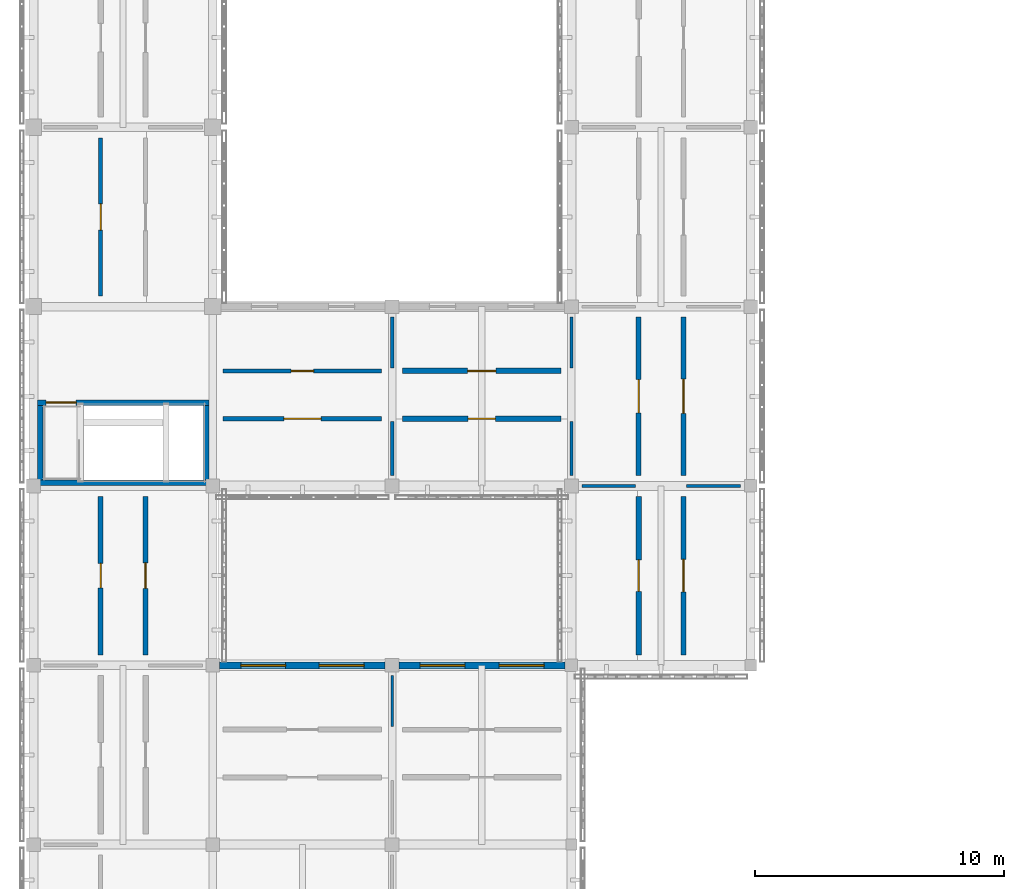
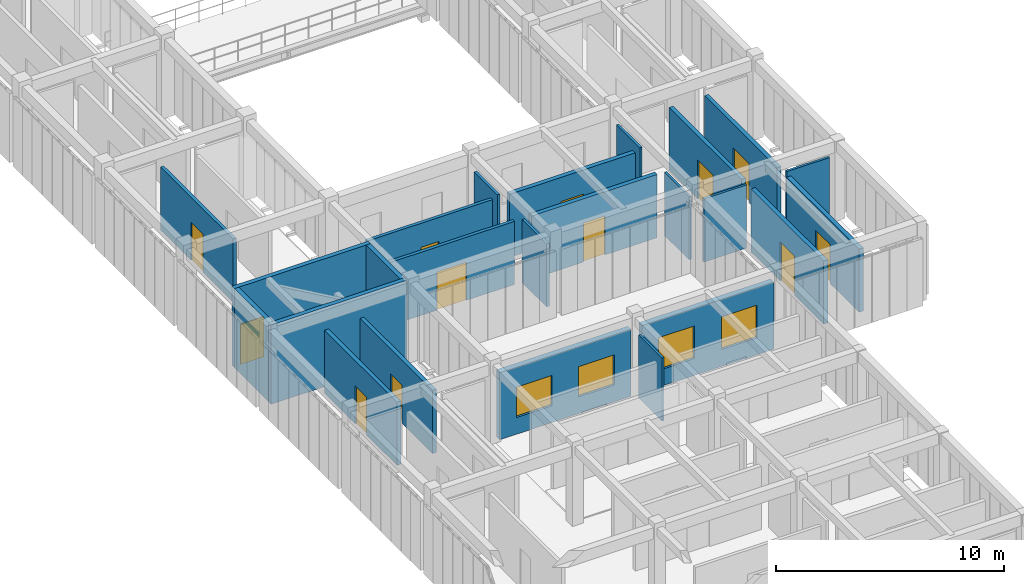
# One storey, part 70 of 91: 24 walls, 12 doors, 4 windows, 16 openings.
"""IFC4 building model written with IfcOpenShell, lengths in metres."""

import ifcopenshell
import ifcopenshell.guid

model = None  # the IFC model being written
_history = None  # IfcOwnerHistory: only IFC2X3 demands one
_inside = {}  # id of a spatial element -> (the spatial element, [elements in it])
_under = {}  # id of a project, library or spatial element -> (it, [spatial elements below it])
_declared = {}  # id of a project -> (the project, [libraries it declares])
_typed = {}  # id of a type object -> (the type object, [elements of that type])
_made_of = {}  # id of a material, layer set ... -> (it, [elements and type objects made of it])


def new_model(schema):
    """Start an empty IFC model of exactly this schema.

    Asked for "IFC4X3", IfcOpenShell would pick the latest addendum, in which some entities
    have other attributes; the version numbers below select the first issue.
    IFC2X3 requires an IfcOwnerHistory on every rooted entity: one is made here for all.
    """
    global model, _history
    if schema == "IFC4X3":
        model = ifcopenshell.file(schema_version=(4, 3, 0, 0))
    else:
        model = ifcopenshell.file(schema=schema)
    _inside.clear()
    _under.clear()
    _declared.clear()
    _typed.clear()
    _made_of.clear()
    _history = None
    if model.schema == "IFC2X3":
        org = make("IfcOrganization", Name="unknown")
        user = make(
            "IfcPersonAndOrganization",
            ThePerson=make("IfcPerson", FamilyName="unknown"),
            TheOrganization=org,
        )
        app = make(
            "IfcApplication",
            ApplicationDeveloper=org,
            Version="unknown",
            ApplicationFullName="unknown",
            ApplicationIdentifier="unknown",
        )
        _history = make(
            "IfcOwnerHistory",
            OwningUser=user,
            OwningApplication=app,
            ChangeAction="ADDED",
            CreationDate=0,
        )
    return model


def make(cls, **values):
    """One entity of the class cls with the attributes given. An attribute that is None is left unset."""
    return model.create_entity(
        cls, **{name: value for name, value in values.items() if value is not None}
    )


def rooted(cls, **values):
    """An entity with a GlobalId (a new one), such as an element, a storey or a relation."""
    return make(cls, GlobalId=ifcopenshell.guid.new(), OwnerHistory=_history, **values)


def si_unit(unit_type, name, prefix=None):
    """IfcSIUnit, for example si_unit("LENGTHUNIT", "METRE", prefix="MILLI")."""
    return make("IfcSIUnit", UnitType=unit_type, Prefix=prefix, Name=name)


def assignment(units):
    """IfcUnitAssignment: the units of a project."""
    return None if units is None else make("IfcUnitAssignment", Units=units)


def point(xyz):
    """IfcCartesianPoint."""
    return None if xyz is None else make("IfcCartesianPoint", Coordinates=xyz)


def direction(xyz):
    """IfcDirection."""
    return None if xyz is None else make("IfcDirection", DirectionRatios=xyz)


def frame(location, z_axis=None, x_axis=None):
    """IfcAxis2Placement3D, a coordinate frame: its origin and axes. An axis left out is left unset."""
    return make(
        "IfcAxis2Placement3D",
        Location=point(location),
        Axis=direction(z_axis),
        RefDirection=direction(x_axis),
    )


def frame_2d(location, x_axis=None):
    """IfcAxis2Placement2D, a coordinate frame in the plane: its origin and x axis."""
    return make(
        "IfcAxis2Placement2D", Location=point(location), RefDirection=direction(x_axis)
    )


def origin():
    """The frame at (0, 0, 0) with its axes left unset."""
    return frame((0.0, 0.0, 0.0))


def place(relative_to, where):
    """IfcLocalPlacement: puts the frame where relative to a parent placement (None: the world)."""
    return make(
        "IfcLocalPlacement", PlacementRelTo=relative_to, RelativePlacement=where
    )


def context(
    kind, dimensions, precision=None, world=None, true_north=None, identifier=None
):
    """IfcGeometricRepresentationContext, for example the 3D "Model" context."""
    return make(
        "IfcGeometricRepresentationContext",
        ContextIdentifier=identifier,
        ContextType=kind,
        CoordinateSpaceDimension=dimensions,
        Precision=precision,
        WorldCoordinateSystem=world,
        TrueNorth=true_north,
    )


def subcontext(parent, identifier, kind, view, scale=None):
    """IfcGeometricRepresentationSubContext, for example "Body" below "Model"."""
    return make(
        "IfcGeometricRepresentationSubContext",
        ContextIdentifier=identifier,
        ContextType=kind,
        ParentContext=parent,
        TargetScale=scale,
        TargetView=view,
    )


def project(units=None, contexts=None):
    """IfcProject with its units and contexts."""
    return rooted(
        "IfcProject",
        Name="project",
        RepresentationContexts=contexts,
        UnitsInContext=assignment(units),
    )


def spatial(cls, under=None, at=None, **own):
    """A site, building, storey or space (cls), placed at a placement, below another one or the project."""
    s = rooted(cls, ObjectPlacement=at, **own)
    if under is not None:
        _under.setdefault(under.id(), (under, []))[1].append(s)
    return s


def profile(cls, at=None, kind="AREA", **sizes):
    """A parametric profile (cls). Its sizes go by their IFC names, for example OverallWidth=200.0."""
    return make(cls, ProfileType=kind, Position=at, **sizes)


def rectangle(**sizes):
    """IfcRectangleProfileDef."""
    return profile("IfcRectangleProfileDef", **sizes)


def extrude(swept, where, along, depth):
    """IfcExtrudedAreaSolid: the profile swept, set in the frame where, extruded along a direction by depth."""
    return make(
        "IfcExtrudedAreaSolid",
        SweptArea=swept,
        Position=where,
        ExtrudedDirection=direction(along),
        Depth=depth,
    )


def shape(context_of_items, identifier, shape_type, items):
    """IfcShapeRepresentation: the items that make up one representation, for example the "Body"."""
    return make(
        "IfcShapeRepresentation",
        ContextOfItems=context_of_items,
        RepresentationIdentifier=identifier,
        RepresentationType=shape_type,
        Items=items,
    )


def material(Name=None, Category=None):
    """IfcMaterial."""
    return make("IfcMaterial", Name=Name, Category=Category)


def layer(
    of_material, thickness, ventilated=None, Name=None, Category=None, Priority=None
):
    """IfcMaterialLayer: one layer of a wall or slab, of a material (None: an air gap)."""
    return make(
        "IfcMaterialLayer",
        Material=of_material,
        LayerThickness=thickness,
        IsVentilated=ventilated,
        Name=Name,
        Category=Category,
        Priority=Priority,
    )


def layer_set(layers, Name=None):
    """IfcMaterialLayerSet."""
    return make("IfcMaterialLayerSet", MaterialLayers=layers, LayerSetName=Name)


def made_of(thing, what):
    """Note that an element or type object is made of a material, layer set ...; save() writes the relation."""
    if what is not None:
        _made_of.setdefault(what.id(), (what, []))[1].append(thing)
    return thing


def type_object(cls, material=None, **own):
    """A type object (cls), such as IfcWallType, which elements share."""
    return made_of(rooted(cls, **own), material)


def element(
    cls,
    number,
    at=None,
    inside=None,
    cuts=None,
    type_object=None,
    material=None,
    context=None,
    identifier="Body",
    shape_type=None,
    held_by="IfcProductDefinitionShape",
    body=None,
    shapes=None,
    **own,
):
    """One element of the class cls, such as IfcWall. Its Tag is "e" and its number.

    at: its placement. inside: the storey or other place that contains it. cuts: it is an
    opening in that element (IfcRelVoidsElement). A single representation is given by context,
    identifier, shape_type and body (its items); several are given by shapes. held_by: the class
    of the entity that holds the representations. save() writes the other relations.
    """
    e = rooted(cls, Tag="e%d" % number, ObjectPlacement=at, **own)
    if body is not None:
        shapes = [shape(context, identifier, shape_type, body)]
    if shapes is not None:
        e.Representation = make(held_by, Representations=shapes)
    if inside is not None:
        _inside.setdefault(inside.id(), (inside, []))[1].append(e)
    if cuts is not None:
        rooted(
            "IfcRelVoidsElement", RelatingBuildingElement=cuts, RelatedOpeningElement=e
        )
    if type_object is not None:
        _typed.setdefault(type_object.id(), (type_object, []))[1].append(e)
    return made_of(e, material)


def fill(opening, filler):
    """IfcRelFillsElement: the door or window that sits in an opening."""
    return rooted(
        "IfcRelFillsElement",
        RelatingOpeningElement=opening,
        RelatedBuildingElement=filler,
    )


def aggregate(whole, parts):
    """IfcRelAggregates: a whole, such as a stair, and the parts it consists of."""
    return rooted("IfcRelAggregates", RelatingObject=whole, RelatedObjects=parts)


def save(model, path):
    """Write the relations noted so far, then the file.

    IfcRelAggregates (storeys below a building ...), IfcRelContainedInSpatialStructure (elements
    in a storey), IfcRelDefinesByType, IfcRelAssociatesMaterial and IfcRelDeclares: one each for
    every whole, place, type object, material and project.
    """
    for whole, parts in _under.values():
        aggregate(whole, parts)
    for where, things in _inside.values():
        rooted(
            "IfcRelContainedInSpatialStructure",
            RelatedElements=things,
            RelatingStructure=where,
        )
    for kind, things in _typed.values():
        rooted("IfcRelDefinesByType", RelatedObjects=things, RelatingType=kind)
    for what, things in _made_of.values():
        rooted("IfcRelAssociatesMaterial", RelatedObjects=things, RelatingMaterial=what)
    for by, libraries in _declared.values():
        rooted("IfcRelDeclares", RelatingContext=by, RelatedDefinitions=libraries)
    model.write(path)


model = new_model("IFC4")

# Units and contexts
model_context = context("Model", 3, precision=1e-05, world=origin(), true_north=direction((0.0, 1.0)))
body_context = subcontext(model_context, "Body", "Model", "MODEL_VIEW")
ifc_project = project(units=[si_unit("LENGTHUNIT", "METRE"), si_unit("AREAUNIT", "SQUARE_METRE"), si_unit("VOLUMEUNIT", "CUBIC_METRE"), si_unit("PLANEANGLEUNIT", "RADIAN"), si_unit("MASSUNIT", "GRAM", prefix="KILO")], contexts=[model_context])

# Site, building, storey
site_placement = place(None, origin())
site = spatial("IfcSite", under=ifc_project, at=site_placement, CompositionType="ELEMENT")
building_placement = place(site_placement, origin())
building = spatial("IfcBuilding", under=site, at=building_placement, Name="Aldebral Square Health Centre", CompositionType="ELEMENT")
storey_placement = place(building_placement, frame((0.0, 0.0, 9.0)))
storey = spatial("IfcBuildingStorey", under=building, at=storey_placement, Name="L02", CompositionType="ELEMENT", Elevation=9.0)

# Wall, openings, windows
ifc_material_1 = material(Name="Ochre mineral-rendered concrete C35/45 court wall", Category="concrete")
ifc_layer_1 = layer(ifc_material_1, 0.280029296875, Name="Ochre mineral-rendered concrete C35/45 court wall", Category="concrete")
ifc_layer_set_1 = layer_set([ifc_layer_1], Name="Ochre mineral-rendered concrete C35/45 court wall")
wall_type_1 = type_object("IfcWallType", Name="EW-OCH-280", PredefinedType="STANDARD", material=ifc_layer_set_1)
wall_1_placement = place(storey_placement, frame((14.125, 50.39990234375, 0.0), z_axis=(0.0, 0.0, 1.0), x_axis=(-1.0, 0.0, 0.0)))
wall_1 = element("IfcWall", 1, at=wall_1_placement, inside=storey, type_object=wall_type_1, Name="L02 V6 exterior wall L02-V6-01-06-N", PredefinedType="STANDARD", context=body_context, shape_type="SweptSolid", body=[
    extrude(rectangle(XDim=6.64990234375, YDim=0.280029296875, at=frame_2d((3.324951171875, 0.0))), origin(), (0.0, 0.0, 1.0), 3.590087890625),
])
opening_1_placement = place(wall_1_placement, frame((0.85009765625, 0.0, 0.89990234375)))
opening_1 = element("IfcOpeningElement", 2, at=opening_1_placement, cuts=wall_1, Name="Opening W34", PredefinedType="OPENING", context=body_context, shape_type="SweptSolid", body=[
    extrude(rectangle(XDim=1.800048828125, YDim=1.6201171875, at=frame_2d((0.89990234375, 0.81005859375))), frame((0.0, 0.14990234375, 0.0), z_axis=(0.0, -1.0, 0.0), x_axis=(1.0, 0.0, 0.0)), (0.0, 0.0, 1.0), 0.300048828125),
])
opening_2_placement = place(wall_1_placement, frame((4.0, 0.0, 0.89990234375)))
opening_2 = element("IfcOpeningElement", 3, at=opening_2_placement, cuts=wall_1, Name="Opening W34", PredefinedType="OPENING", context=body_context, shape_type="SweptSolid", body=[
    extrude(rectangle(XDim=1.800048828125, YDim=1.6201171875, at=frame_2d((0.89990234375, 0.81005859375))), frame((0.0, 0.14990234375, 0.0), z_axis=(0.0, -1.0, 0.0), x_axis=(1.0, 0.0, 0.0)), (0.0, 0.0, 1.0), 0.300048828125),
])
ifc_material_2 = material(Name="Thermally broken aluminium and low-E glass", Category="aluminium")
window_type_1 = type_object("IfcWindowType", Name="WIN-W34", PartitioningType="SINGLE_PANEL", PredefinedType="WINDOW", material=ifc_material_2)
window_1_placement = place(opening_1_placement, origin())
window_1 = element("IfcWindow", 4, at=window_1_placement, inside=storey, type_object=window_type_1, Name="L02 clinical window L02-V6-01-06-N.1", OverallHeight=1.6201171875, OverallWidth=1.800048828125, PartitioningType="SINGLE_PANEL", PredefinedType="WINDOW", context=body_context, shape_type="SweptSolid", body=[
    extrude(rectangle(XDim=1.800048828125, YDim=1.6201171875, at=frame_2d((0.89990234375, 0.81005859375))), frame((0.0, 0.030029296875, 0.0), z_axis=(0.0, -1.0, 0.0), x_axis=(1.0, 0.0, 0.0)), (0.0, 0.0, 1.0), 0.06005859375),
])
fill(opening_1, window_1)
window_2_placement = place(opening_2_placement, origin())
window_2 = element("IfcWindow", 5, at=window_2_placement, inside=storey, type_object=window_type_1, Name="L02 clinical window L02-V6-01-06-N.2", OverallHeight=1.6201171875, OverallWidth=1.800048828125, PartitioningType="SINGLE_PANEL", PredefinedType="WINDOW", context=body_context, shape_type="SweptSolid", body=[
    extrude(rectangle(XDim=1.800048828125, YDim=1.6201171875, at=frame_2d((0.89990234375, 0.81005859375))), frame((0.0, 0.030029296875, 0.0), z_axis=(0.0, -1.0, 0.0), x_axis=(1.0, 0.0, 0.0)), (0.0, 0.0, 1.0), 0.06005859375),
])
fill(opening_2, window_2)

wall_2_placement = place(storey_placement, frame((21.35009765625, 50.39990234375, 0.0), z_axis=(0.0, 0.0, 1.0), x_axis=(-1.0, 0.0, 0.0)))
wall_2 = element("IfcWall", 6, at=wall_2_placement, inside=storey, type_object=wall_type_1, Name="L02 V6 exterior wall L02-V6-02-06-N", PredefinedType="STANDARD", context=body_context, shape_type="SweptSolid", body=[
    extrude(rectangle(XDim=6.675048828125, YDim=0.280029296875, at=frame_2d((3.33740234375, 0.0))), origin(), (0.0, 0.0, 1.0), 3.590087890625),
])
opening_3_placement = place(wall_2_placement, frame((0.85009765625, 0.0, 0.89990234375)))
opening_3 = element("IfcOpeningElement", 7, at=opening_3_placement, cuts=wall_2, Name="Opening W43", PredefinedType="OPENING", context=body_context, shape_type="SweptSolid", body=[
    extrude(rectangle(XDim=1.800048828125, YDim=1.75, at=frame_2d((0.89990234375, 0.875))), frame((0.0, 0.14990234375, 0.0), z_axis=(0.0, -1.0, 0.0), x_axis=(1.0, 0.0, 0.0)), (0.0, 0.0, 1.0), 0.300048828125),
])
opening_4_placement = place(wall_2_placement, frame((4.02490234375, 0.0, 0.89990234375)))
opening_4 = element("IfcOpeningElement", 8, at=opening_4_placement, cuts=wall_2, Name="Opening W43", PredefinedType="OPENING", context=body_context, shape_type="SweptSolid", body=[
    extrude(rectangle(XDim=1.800048828125, YDim=1.75, at=frame_2d((0.89990234375, 0.875))), frame((0.0, 0.14990234375, 0.0), z_axis=(0.0, -1.0, 0.0), x_axis=(1.0, 0.0, 0.0)), (0.0, 0.0, 1.0), 0.300048828125),
])
window_type_2 = type_object("IfcWindowType", Name="WIN-W43", PartitioningType="SINGLE_PANEL", PredefinedType="WINDOW", material=ifc_material_2)
window_3_placement = place(opening_3_placement, origin())
window_3 = element("IfcWindow", 9, at=window_3_placement, inside=storey, type_object=window_type_2, Name="L02 clinical window L02-V6-02-06-N.1", OverallHeight=1.75, OverallWidth=1.800048828125, PartitioningType="SINGLE_PANEL", PredefinedType="WINDOW", context=body_context, shape_type="SweptSolid", body=[
    extrude(rectangle(XDim=1.800048828125, YDim=1.75, at=frame_2d((0.89990234375, 0.875))), frame((0.0, 0.030029296875, 0.0), z_axis=(0.0, -1.0, 0.0), x_axis=(1.0, 0.0, 0.0)), (0.0, 0.0, 1.0), 0.06005859375),
])
fill(opening_3, window_3)
window_4_placement = place(opening_4_placement, origin())
window_4 = element("IfcWindow", 10, at=window_4_placement, inside=storey, type_object=window_type_2, Name="L02 clinical window L02-V6-02-06-N.2", OverallHeight=1.75, OverallWidth=1.800048828125, PartitioningType="SINGLE_PANEL", PredefinedType="WINDOW", context=body_context, shape_type="SweptSolid", body=[
    extrude(rectangle(XDim=1.800048828125, YDim=1.75, at=frame_2d((0.89990234375, 0.875))), frame((0.0, 0.030029296875, 0.0), z_axis=(0.0, -1.0, 0.0), x_axis=(1.0, 0.0, 0.0)), (0.0, 0.0, 1.0), 0.06005859375),
])
fill(opening_4, window_4)

# Wall, opening, door
ifc_material_3 = material(Name="Concrete C35/45 compartment wall", Category="concrete")
ifc_layer_2 = layer(ifc_material_3, 0.199951171875, Name="Concrete C35/45 compartment wall", Category="concrete")
ifc_layer_set_2 = layer_set([ifc_layer_2], Name="Concrete C35/45 compartment wall")
wall_type_2 = type_object("IfcWallType", Name="IW-CMP-200", PredefinedType="SOLIDWALL", material=ifc_layer_set_2)
wall_3_placement = place(storey_placement, frame((2.699951171875, 50.820068359375, 0.0), z_axis=(0.0, 0.0, 1.0), x_axis=(0.0, 1.0, 0.0)))
wall_3 = element("IfcWall", 11, at=wall_3_placement, inside=storey, type_object=wall_type_2, Name="L02 Paediatric Examination Room 1.8W corridor wall", PredefinedType="SOLIDWALL", context=body_context, shape_type="SweptSolid", body=[
    extrude(rectangle(XDim=6.35986328125, YDim=0.199951171875, at=frame_2d((3.179931640625, 0.0))), origin(), (0.0, 0.0, 1.0), 3.3798828125),
])
opening_5_placement = place(wall_3_placement, frame((2.68994140625, 0.0, 0.0)))
opening_5 = element("IfcOpeningElement", 12, at=opening_5_placement, cuts=wall_3, Name="Opening D-0431", PredefinedType="OPENING", context=body_context, shape_type="SweptSolid", body=[
    extrude(rectangle(XDim=0.97998046875, YDim=2.0400390625, at=frame_2d((0.489990234375, 1.02001953125))), frame((0.0, 0.10986328125, 0.0), z_axis=(0.0, -1.0, 0.0), x_axis=(1.0, 0.0, 0.0)), (0.0, 0.0, 1.0), 0.219970703125),
])
ifc_material_4 = material(Name="Clinical suite fire door")
door_type_1 = type_object("IfcDoorType", Name="ID-EXD-02", OperationType="NOTDEFINED", PredefinedType="DOOR", material=ifc_material_4)
door_1_placement = place(opening_5_placement, origin())
door_1 = element("IfcDoor", 13, at=door_1_placement, inside=storey, type_object=door_type_1, Name="L02 Paediatric Examination Room 1.8W door", OperationType="SINGLE_SWING_RIGHT", OverallHeight=2.0400390625, OverallWidth=0.97998046875, PredefinedType="DOOR", context=body_context, shape_type="SweptSolid", body=[
    extrude(rectangle(XDim=0.97998046875, YDim=2.0400390625, at=frame_2d((0.489990234375, 1.02001953125))), frame((0.0, 0.02490234375, 0.0), z_axis=(0.0, -1.0, 0.0), x_axis=(1.0, 0.0, 0.0)), (0.0, 0.0, 1.0), 0.050048828125),
])
fill(opening_5, door_1)

wall_4_placement = place(storey_placement, frame((4.5, 50.820068359375, 0.0), z_axis=(0.0, 0.0, 1.0), x_axis=(0.0, 1.0, 0.0)))
wall_4 = element("IfcWall", 14, at=wall_4_placement, inside=storey, type_object=wall_type_2, Name="L02 Adolescent Medicine Clinic 1.8E corridor wall", PredefinedType="SOLIDWALL", context=body_context, shape_type="SweptSolid", body=[
    extrude(rectangle(XDim=6.35986328125, YDim=0.199951171875, at=frame_2d((3.179931640625, 0.0))), origin(), (0.0, 0.0, 1.0), 3.3798828125),
])
opening_6_placement = place(wall_4_placement, frame((2.669921875, 0.0, 0.0)))
opening_6 = element("IfcOpeningElement", 15, at=opening_6_placement, cuts=wall_4, Name="Opening D-0432", PredefinedType="OPENING", context=body_context, shape_type="SweptSolid", body=[
    extrude(rectangle(XDim=1.02001953125, YDim=2.0400390625, at=frame_2d((0.510009765625, 1.02001953125))), frame((0.0, 0.10986328125, 0.0), z_axis=(0.0, -1.0, 0.0), x_axis=(1.0, 0.0, 0.0)), (0.0, 0.0, 1.0), 0.219970703125),
])
door_type_2 = type_object("IfcDoorType", Name="ID-EXD-03", OperationType="NOTDEFINED", PredefinedType="DOOR", material=ifc_material_4)
door_2_placement = place(opening_6_placement, origin())
door_2 = element("IfcDoor", 16, at=door_2_placement, inside=storey, type_object=door_type_2, Name="L02 Adolescent Medicine Clinic 1.8E door", OperationType="SINGLE_SWING_LEFT", OverallHeight=2.0400390625, OverallWidth=1.02001953125, PredefinedType="DOOR", context=body_context, shape_type="SweptSolid", body=[
    extrude(rectangle(XDim=1.02001953125, YDim=2.0400390625, at=frame_2d((0.510009765625, 1.02001953125))), frame((0.0, 0.02490234375, 0.0), z_axis=(0.0, -1.0, 0.0), x_axis=(1.0, 0.0, 0.0)), (0.0, 0.0, 1.0), 0.050048828125),
])
fill(opening_6, door_2)

wall_5_placement = place(storey_placement, frame((24.300048828125, 58.02001953125, 0.0), z_axis=(0.0, 0.0, 1.0), x_axis=(0.0, 1.0, 0.0)))
wall_5 = element("IfcWall", 17, at=wall_5_placement, inside=storey, type_object=wall_type_2, Name="L02 Adolescent Medicine Clinic 4.9W corridor wall", PredefinedType="SOLIDWALL", context=body_context, shape_type="SweptSolid", body=[
    extrude(rectangle(XDim=6.35986328125, YDim=0.199951171875, at=frame_2d((3.179931640625, 0.0))), origin(), (0.0, 0.0, 1.0), 3.3798828125),
])
opening_7_placement = place(wall_5_placement, frame((2.510009765625, 0.0, 0.0)))
opening_7 = element("IfcOpeningElement", 18, at=opening_7_placement, cuts=wall_5, Name="Opening D-0456", PredefinedType="OPENING", context=body_context, shape_type="SweptSolid", body=[
    extrude(rectangle(XDim=1.340087890625, YDim=2.090087890625, at=frame_2d((0.669921875, 1.044921875))), frame((0.0, 0.10986328125, 0.0), z_axis=(0.0, -1.0, 0.0), x_axis=(1.0, 0.0, 0.0)), (0.0, 0.0, 1.0), 0.219970703125),
])
door_type_3 = type_object("IfcDoorType", Name="ID-EXD-27", OperationType="NOTDEFINED", PredefinedType="DOOR", material=ifc_material_4)
door_3_placement = place(opening_7_placement, origin())
door_3 = element("IfcDoor", 19, at=door_3_placement, inside=storey, type_object=door_type_3, Name="L02 Adolescent Medicine Clinic 4.9W door", OperationType="SINGLE_SWING_LEFT", OverallHeight=2.090087890625, OverallWidth=1.340087890625, PredefinedType="DOOR", context=body_context, shape_type="SweptSolid", body=[
    extrude(rectangle(XDim=1.340087890625, YDim=2.090087890625, at=frame_2d((0.669921875, 1.044921875))), frame((0.0, 0.02490234375, 0.0), z_axis=(0.0, -1.0, 0.0), x_axis=(1.0, 0.0, 0.0)), (0.0, 0.0, 1.0), 0.050048828125),
])
fill(opening_7, door_3)

wall_6_placement = place(storey_placement, frame((26.10009765625, 58.02001953125, 0.0), z_axis=(0.0, 0.0, 1.0), x_axis=(0.0, 1.0, 0.0)))
wall_6 = element("IfcWall", 20, at=wall_6_placement, inside=storey, type_object=wall_type_2, Name="L02 Immunisation Suite 4.9E corridor wall", PredefinedType="SOLIDWALL", context=body_context, shape_type="SweptSolid", body=[
    extrude(rectangle(XDim=6.35986328125, YDim=0.199951171875, at=frame_2d((3.179931640625, 0.0))), origin(), (0.0, 0.0, 1.0), 3.3798828125),
])
opening_8_placement = place(wall_6_placement, frame((2.489990234375, 0.0, 0.0)))
opening_8 = element("IfcOpeningElement", 21, at=opening_8_placement, cuts=wall_6, Name="Opening D-0457", PredefinedType="OPENING", context=body_context, shape_type="SweptSolid", body=[
    extrude(rectangle(XDim=1.3798828125, YDim=2.090087890625, at=frame_2d((0.68994140625, 1.044921875))), frame((0.0, 0.10986328125, 0.0), z_axis=(0.0, -1.0, 0.0), x_axis=(1.0, 0.0, 0.0)), (0.0, 0.0, 1.0), 0.219970703125),
])
door_type_4 = type_object("IfcDoorType", Name="ID-EXD-28", OperationType="NOTDEFINED", PredefinedType="DOOR", material=ifc_material_4)
door_4_placement = place(opening_8_placement, origin())
door_4 = element("IfcDoor", 22, at=door_4_placement, inside=storey, type_object=door_type_4, Name="L02 Immunisation Suite 4.9E door", OperationType="SINGLE_SWING_RIGHT", OverallHeight=2.090087890625, OverallWidth=1.3798828125, PredefinedType="DOOR", context=body_context, shape_type="SweptSolid", body=[
    extrude(rectangle(XDim=1.3798828125, YDim=2.090087890625, at=frame_2d((0.68994140625, 1.044921875))), frame((0.0, 0.02490234375, 0.0), z_axis=(0.0, -1.0, 0.0), x_axis=(1.0, 0.0, 0.0)), (0.0, 0.0, 1.0), 0.050048828125),
])
fill(opening_8, door_4)

ifc_layer_3 = layer(ifc_material_3, 0.219970703125, Name="Concrete C35/45 compartment wall", Category="concrete")
ifc_layer_set_3 = layer_set([ifc_layer_3], Name="Concrete C35/45 compartment wall")
wall_type_3 = type_object("IfcWallType", Name="IW-CMP-220", PredefinedType="SOLIDWALL", material=ifc_layer_set_3)
wall_7_placement = place(storey_placement, frame((14.820068359375, 60.300048828125, 0.0), z_axis=(0.0, 0.0, 1.0), x_axis=(1.0, 0.0, 0.0)))
wall_7 = element("IfcWall", 23, at=wall_7_placement, inside=storey, type_object=wall_type_3, Name="L02 Adolescent Medicine Clinic 3.9S corridor wall", PredefinedType="SOLIDWALL", context=body_context, shape_type="SweptSolid", body=[
    extrude(rectangle(XDim=6.35986328125, YDim=0.219970703125, at=frame_2d((3.179931640625, 0.0))), origin(), (0.0, 0.0, 1.0), 3.3798828125),
])
opening_9_placement = place(wall_7_placement, frame((2.6298828125, 0.0, 0.0)))
opening_9 = element("IfcOpeningElement", 24, at=opening_9_placement, cuts=wall_7, Name="Opening D-0450", PredefinedType="OPENING", context=body_context, shape_type="SweptSolid", body=[
    extrude(rectangle(XDim=1.10009765625, YDim=2.090087890625, at=frame_2d((0.550048828125, 1.044921875))), frame((0.0, 0.1201171875, 0.0), z_axis=(0.0, -1.0, 0.0), x_axis=(1.0, 0.0, 0.0)), (0.0, 0.0, 1.0), 0.239990234375),
])
door_type_5 = type_object("IfcDoorType", Name="ID-EXD-21", OperationType="NOTDEFINED", PredefinedType="DOOR", material=ifc_material_4)
door_5_placement = place(opening_9_placement, origin())
door_5 = element("IfcDoor", 25, at=door_5_placement, inside=storey, type_object=door_type_5, Name="L02 Adolescent Medicine Clinic 3.9S door", OperationType="SINGLE_SWING_LEFT", OverallHeight=2.090087890625, OverallWidth=1.10009765625, PredefinedType="DOOR", context=body_context, shape_type="SweptSolid", body=[
    extrude(rectangle(XDim=1.10009765625, YDim=2.090087890625, at=frame_2d((0.550048828125, 1.044921875))), frame((0.0, 0.02490234375, 0.0), z_axis=(0.0, -1.0, 0.0), x_axis=(1.0, 0.0, 0.0)), (0.0, 0.0, 1.0), 0.050048828125),
])
fill(opening_9, door_5)

wall_8_placement = place(storey_placement, frame((14.820068359375, 62.219970703125, 0.0), z_axis=(0.0, 0.0, 1.0), x_axis=(1.0, 0.0, 0.0)))
wall_8 = element("IfcWall", 26, at=wall_8_placement, inside=storey, type_object=wall_type_3, Name="L02 Immunisation Suite 3.9N corridor wall", PredefinedType="SOLIDWALL", context=body_context, shape_type="SweptSolid", body=[
    extrude(rectangle(XDim=6.35986328125, YDim=0.219970703125, at=frame_2d((3.179931640625, 0.0))), origin(), (0.0, 0.0, 1.0), 3.3798828125),
])
opening_10_placement = place(wall_8_placement, frame((2.610107421875, 0.0, 0.0)))
opening_10 = element("IfcOpeningElement", 27, at=opening_10_placement, cuts=wall_8, Name="Opening D-0451", PredefinedType="OPENING", context=body_context, shape_type="SweptSolid", body=[
    extrude(rectangle(XDim=1.139892578125, YDim=2.090087890625, at=frame_2d((0.56982421875, 1.044921875))), frame((0.0, 0.1201171875, 0.0), z_axis=(0.0, -1.0, 0.0), x_axis=(1.0, 0.0, 0.0)), (0.0, 0.0, 1.0), 0.239990234375),
])
door_type_6 = type_object("IfcDoorType", Name="ID-EXD-22", OperationType="NOTDEFINED", PredefinedType="DOOR", material=ifc_material_4)
door_6_placement = place(opening_10_placement, origin())
door_6 = element("IfcDoor", 28, at=door_6_placement, inside=storey, type_object=door_type_6, Name="L02 Immunisation Suite 3.9N door", OperationType="SINGLE_SWING_RIGHT", OverallHeight=2.090087890625, OverallWidth=1.139892578125, PredefinedType="DOOR", context=body_context, shape_type="SweptSolid", body=[
    extrude(rectangle(XDim=1.139892578125, YDim=2.090087890625, at=frame_2d((0.56982421875, 1.044921875))), frame((0.0, 0.02490234375, 0.0), z_axis=(0.0, -1.0, 0.0), x_axis=(1.0, 0.0, 0.0)), (0.0, 0.0, 1.0), 0.050048828125),
])
fill(opening_10, door_6)

wall_9_placement = place(storey_placement, frame((26.10009765625, 50.820068359375, 0.0), z_axis=(0.0, 0.0, 1.0), x_axis=(0.0, 1.0, 0.0)))
wall_9 = element("IfcWall", 29, at=wall_9_placement, inside=storey, type_object=wall_type_3, Name="L02 Paediatric Examination Room 4.8E corridor wall", PredefinedType="SOLIDWALL", context=body_context, shape_type="SweptSolid", body=[
    extrude(rectangle(XDim=6.35986328125, YDim=0.219970703125, at=frame_2d((3.179931640625, 0.0))), origin(), (0.0, 0.0, 1.0), 3.3798828125),
])
opening_11_placement = place(wall_9_placement, frame((2.530029296875, 0.0, 0.0)))
opening_11 = element("IfcOpeningElement", 30, at=opening_11_placement, cuts=wall_9, Name="Opening D-0455", PredefinedType="OPENING", context=body_context, shape_type="SweptSolid", body=[
    extrude(rectangle(XDim=1.300048828125, YDim=2.090087890625, at=frame_2d((0.64990234375, 1.044921875))), frame((0.0, 0.1201171875, 0.0), z_axis=(0.0, -1.0, 0.0), x_axis=(1.0, 0.0, 0.0)), (0.0, 0.0, 1.0), 0.239990234375),
])
door_type_7 = type_object("IfcDoorType", Name="ID-EXD-26", OperationType="NOTDEFINED", PredefinedType="DOOR", material=ifc_material_4)
door_7_placement = place(opening_11_placement, origin())
door_7 = element("IfcDoor", 31, at=door_7_placement, inside=storey, type_object=door_type_7, Name="L02 Paediatric Examination Room 4.8E door", OperationType="SINGLE_SWING_RIGHT", OverallHeight=2.090087890625, OverallWidth=1.300048828125, PredefinedType="DOOR", context=body_context, shape_type="SweptSolid", body=[
    extrude(rectangle(XDim=1.300048828125, YDim=2.090087890625, at=frame_2d((0.64990234375, 1.044921875))), frame((0.0, 0.02490234375, 0.0), z_axis=(0.0, -1.0, 0.0), x_axis=(1.0, 0.0, 0.0)), (0.0, 0.0, 1.0), 0.050048828125),
])
fill(opening_11, door_7)

ifc_material_5 = material(Name="Fire-rated acoustic gypsum partition")
ifc_layer_4 = layer(ifc_material_5, 0.1650390625, Name="Fire-rated acoustic gypsum partition")
ifc_layer_set_4 = layer_set([ifc_layer_4], Name="Fire-rated acoustic gypsum partition")
wall_type_4 = type_object("IfcWallType", Name="IW-COR-165", PredefinedType="PARTITIONING", material=ifc_layer_set_4)
wall_10_placement = place(storey_placement, frame((2.699951171875, 65.219970703125, 0.0), z_axis=(0.0, 0.0, 1.0), x_axis=(0.0, 1.0, 0.0)))
wall_10 = element("IfcWall", 32, at=wall_10_placement, inside=storey, type_object=wall_type_4, Name="L02 Immunisation Suite 1.10W corridor wall", PredefinedType="PARTITIONING", context=body_context, shape_type="SweptSolid", body=[
    extrude(rectangle(XDim=6.360107421875, YDim=0.1650390625, at=frame_2d((3.18017578125, 0.0))), origin(), (0.0, 0.0, 1.0), 3.3798828125),
])
opening_12_placement = place(wall_10_placement, frame((2.64990234375, 0.0, 0.0)))
opening_12 = element("IfcOpeningElement", 33, at=opening_12_placement, cuts=wall_10, Name="Opening D-0433", PredefinedType="OPENING", context=body_context, shape_type="SweptSolid", body=[
    extrude(rectangle(XDim=1.06005859375, YDim=2.0400390625, at=frame_2d((0.530029296875, 1.02001953125))), frame((0.0, 0.092529296875, 0.0), z_axis=(0.0, -1.0, 0.0), x_axis=(1.0, 0.0, 0.0)), (0.0, 0.0, 1.0), 0.18505859375),
])
door_type_8 = type_object("IfcDoorType", Name="ID-EXD-04", OperationType="NOTDEFINED", PredefinedType="DOOR", material=ifc_material_4)
door_8_placement = place(opening_12_placement, origin())
door_8 = element("IfcDoor", 34, at=door_8_placement, inside=storey, type_object=door_type_8, Name="L02 Immunisation Suite 1.10W door", OperationType="SINGLE_SWING_RIGHT", OverallHeight=2.0400390625, OverallWidth=1.06005859375, PredefinedType="DOOR", context=body_context, shape_type="SweptSolid", body=[
    extrude(rectangle(XDim=1.06005859375, YDim=2.0400390625, at=frame_2d((0.530029296875, 1.02001953125))), frame((0.0, 0.02490234375, 0.0), z_axis=(0.0, -1.0, 0.0), x_axis=(1.0, 0.0, 0.0)), (0.0, 0.0, 1.0), 0.050048828125),
])
fill(opening_12, door_8)

wall_11_placement = place(storey_placement, frame((7.6201171875, 60.300048828125, 0.0), z_axis=(0.0, 0.0, 1.0), x_axis=(1.0, 0.0, 0.0)))
wall_11 = element("IfcWall", 35, at=wall_11_placement, inside=storey, type_object=wall_type_4, Name="L02 Adolescent Medicine Clinic 2.9S corridor wall", PredefinedType="PARTITIONING", context=body_context, shape_type="SweptSolid", body=[
    extrude(rectangle(XDim=6.35986328125, YDim=0.1650390625, at=frame_2d((3.179931640625, 0.0))), origin(), (0.0, 0.0, 1.0), 3.3798828125),
])
opening_13_placement = place(wall_11_placement, frame((2.429931640625, 0.0, 0.0)))
opening_13 = element("IfcOpeningElement", 36, at=opening_13_placement, cuts=wall_11, Name="Opening D-0444", PredefinedType="OPENING", context=body_context, shape_type="SweptSolid", body=[
    extrude(rectangle(XDim=1.5, YDim=2.0400390625, at=frame_2d((0.75, 1.02001953125))), frame((0.0, 0.092529296875, 0.0), z_axis=(0.0, -1.0, 0.0), x_axis=(1.0, 0.0, 0.0)), (0.0, 0.0, 1.0), 0.18505859375),
])
door_type_9 = type_object("IfcDoorType", Name="ID-EXD-15", OperationType="NOTDEFINED", PredefinedType="DOOR", material=ifc_material_4)
door_9_placement = place(opening_13_placement, origin())
door_9 = element("IfcDoor", 37, at=door_9_placement, inside=storey, type_object=door_type_9, Name="L02 Adolescent Medicine Clinic 2.9S door", OperationType="SINGLE_SWING_LEFT", OverallHeight=2.0400390625, OverallWidth=1.5, PredefinedType="DOOR", context=body_context, shape_type="SweptSolid", body=[
    extrude(rectangle(XDim=1.5, YDim=2.0400390625, at=frame_2d((0.75, 1.02001953125))), frame((0.0, 0.02490234375, 0.0), z_axis=(0.0, -1.0, 0.0), x_axis=(1.0, 0.0, 0.0)), (0.0, 0.0, 1.0), 0.050048828125),
])
fill(opening_13, door_9)

wall_12_placement = place(storey_placement, frame((7.6201171875, 62.219970703125, 0.0), z_axis=(0.0, 0.0, 1.0), x_axis=(1.0, 0.0, 0.0)))
wall_12 = element("IfcWall", 38, at=wall_12_placement, inside=storey, type_object=wall_type_4, Name="L02 Immunisation Suite 2.9N corridor wall", PredefinedType="PARTITIONING", context=body_context, shape_type="SweptSolid", body=[
    extrude(rectangle(XDim=6.35986328125, YDim=0.1650390625, at=frame_2d((3.179931640625, 0.0))), origin(), (0.0, 0.0, 1.0), 3.3798828125),
])
opening_14_placement = place(wall_12_placement, frame((2.72998046875, 0.0, 0.0)))
opening_14 = element("IfcOpeningElement", 39, at=opening_14_placement, cuts=wall_12, Name="Opening D-0445", PredefinedType="OPENING", context=body_context, shape_type="SweptSolid", body=[
    extrude(rectangle(XDim=0.89990234375, YDim=2.090087890625, at=frame_2d((0.449951171875, 1.044921875))), frame((0.0, 0.092529296875, 0.0), z_axis=(0.0, -1.0, 0.0), x_axis=(1.0, 0.0, 0.0)), (0.0, 0.0, 1.0), 0.18505859375),
])
door_type_10 = type_object("IfcDoorType", Name="ID-EXD-16", OperationType="NOTDEFINED", PredefinedType="DOOR", material=ifc_material_4)
door_10_placement = place(opening_14_placement, origin())
door_10 = element("IfcDoor", 40, at=door_10_placement, inside=storey, type_object=door_type_10, Name="L02 Immunisation Suite 2.9N door", OperationType="SINGLE_SWING_RIGHT", OverallHeight=2.090087890625, OverallWidth=0.89990234375, PredefinedType="DOOR", context=body_context, shape_type="SweptSolid", body=[
    extrude(rectangle(XDim=0.89990234375, YDim=2.090087890625, at=frame_2d((0.449951171875, 1.044921875))), frame((0.0, 0.02490234375, 0.0), z_axis=(0.0, -1.0, 0.0), x_axis=(1.0, 0.0, 0.0)), (0.0, 0.0, 1.0), 0.050048828125),
])
fill(opening_14, door_10)

# Wall
ifc_material_6 = material(Name="Concrete C40/50", Category="concrete")
ifc_layer_5 = layer(ifc_material_6, 0.219970703125, Name="Concrete C40/50", Category="concrete")
ifc_layer_set_5 = layer_set([ifc_layer_5], Name="Concrete C40/50")
wall_type_5 = type_object("IfcWallType", Name="IW-CORE-280", PredefinedType="SHEAR", material=ifc_layer_set_5)
wall_13_placement = place(storey_placement, frame((0.159912109375, 57.72998046875, 0.0), z_axis=(0.0, 0.0, 1.0), x_axis=(1.0, 0.0, 0.0)))
element("IfcWall", 41, at=wall_13_placement, inside=storey, type_object=wall_type_5, Name="L02 WS-S11 shaft wall S", PredefinedType="SHEAR", context=body_context, shape_type="SweptSolid", body=[
    extrude(rectangle(XDim=6.880126953125, YDim=0.219970703125, at=frame_2d((3.43994140625, 0.0))), origin(), (0.0, 0.0, 1.0), 4.239990234375),
])

# Wall, opening, door
wall_14_placement = place(storey_placement, frame((0.159912109375, 60.949951171875, 0.0), z_axis=(0.0, 0.0, 1.0), x_axis=(1.0, 0.0, 0.0)))
wall_14 = element("IfcWall", 42, at=wall_14_placement, inside=storey, type_object=wall_type_5, Name="L02 WS-S11 shaft wall N", PredefinedType="SHEAR", context=body_context, shape_type="SweptSolid", body=[
    extrude(rectangle(XDim=6.880126953125, YDim=0.219970703125, at=frame_2d((3.43994140625, 0.0))), origin(), (0.0, 0.0, 1.0), 4.239990234375),
])
opening_15_placement = place(wall_14_placement, frame((0.35009765625, 0.0, 0.0)))
opening_15 = element("IfcOpeningElement", 43, at=opening_15_placement, cuts=wall_14, Name="Opening D-0079", PredefinedType="OPENING", context=body_context, shape_type="SweptSolid", body=[
    extrude(rectangle(XDim=1.199951171875, YDim=2.14990234375, at=frame_2d((0.60009765625, 1.074951171875))), frame((0.0, 0.1201171875, 0.0), z_axis=(0.0, -1.0, 0.0), x_axis=(1.0, 0.0, 0.0)), (0.0, 0.0, 1.0), 0.239990234375),
])
ifc_material_7 = material(Name="Fire-rated steel stair door", Category="steel")
door_type_11 = type_object("IfcDoorType", Name="ID-ST-120", OperationType="NOTDEFINED", PredefinedType="DOOR", material=ifc_material_7)
door_11_placement = place(opening_15_placement, origin())
door_11 = element("IfcDoor", 44, at=door_11_placement, inside=storey, type_object=door_type_11, Name="L02 ST-11 fire door", OperationType="SINGLE_SWING_LEFT", OverallHeight=2.14990234375, OverallWidth=1.199951171875, PredefinedType="DOOR", context=body_context, shape_type="SweptSolid", body=[
    extrude(rectangle(XDim=1.199951171875, YDim=2.14990234375, at=frame_2d((0.60009765625, 1.074951171875))), frame((0.0, 0.02490234375, 0.0), z_axis=(0.0, -1.0, 0.0), x_axis=(1.0, 0.0, 0.0)), (0.0, 0.0, 1.0), 0.050048828125),
])
fill(opening_15, door_11)

# Walls
for number, where, z_axis, x_axis, name in (
    (45, (0.27001953125, 57.840087890625, 0.0), (0.0, 0.0, 1.0), (0.0, 1.0, 0.0), "L02 WS-S11 shaft wall W"),
    (46, (6.929931640625, 57.840087890625, 0.0), (0.0, 0.0, 1.0), (0.0, 1.0, 0.0), "L02 WS-S11 shaft wall E"),
):
    element("IfcWall", number, at=place(storey_placement, frame(where, z_axis=z_axis, x_axis=x_axis)), inside=storey, type_object=wall_type_5, Name=name, PredefinedType="SHEAR", context=body_context, shape_type="SweptSolid", body=[
        extrude(rectangle(XDim=3.0, YDim=0.219970703125, at=frame_2d((1.5, 0.0))), origin(), (0.0, 0.0, 1.0), 4.239990234375),
    ])

# Wall, opening, door
ifc_material_8 = material(Name="Moisture-resistant sanitary chase wall")
ifc_layer_6 = layer(ifc_material_8, 0.2099609375, Name="Moisture-resistant sanitary chase wall")
ifc_layer_set_6 = layer_set([ifc_layer_6], Name="Moisture-resistant sanitary chase wall")
wall_type_6 = type_object("IfcWallType", Name="IW-PLB-210", PredefinedType="PLUMBINGWALL", material=ifc_layer_set_6)
wall_15_placement = place(storey_placement, frame((24.300048828125, 50.820068359375, 0.0), z_axis=(0.0, 0.0, 1.0), x_axis=(0.0, 1.0, 0.0)))
wall_15 = element("IfcWall", 47, at=wall_15_placement, inside=storey, type_object=wall_type_6, Name="L02 Family Toilet 4.8W corridor wall", PredefinedType="PLUMBINGWALL", context=body_context, shape_type="SweptSolid", body=[
    extrude(rectangle(XDim=6.35986328125, YDim=0.2099609375, at=frame_2d((3.179931640625, 0.0))), origin(), (0.0, 0.0, 1.0), 3.3798828125),
])
opening_16_placement = place(wall_15_placement, frame((2.550048828125, 0.0, 0.0)))
opening_16 = element("IfcOpeningElement", 48, at=opening_16_placement, cuts=wall_15, Name="Opening D-0454", PredefinedType="OPENING", context=body_context, shape_type="SweptSolid", body=[
    extrude(rectangle(XDim=1.260009765625, YDim=2.090087890625, at=frame_2d((0.6298828125, 1.044921875))), frame((0.0, 0.114990234375, 0.0), z_axis=(0.0, -1.0, 0.0), x_axis=(1.0, 0.0, 0.0)), (0.0, 0.0, 1.0), 0.22998046875),
])
door_type_12 = type_object("IfcDoorType", Name="ID-EXD-25", OperationType="NOTDEFINED", PredefinedType="DOOR", material=ifc_material_4)
door_12_placement = place(opening_16_placement, origin())
door_12 = element("IfcDoor", 49, at=door_12_placement, inside=storey, type_object=door_type_12, Name="L02 Family Toilet 4.8W door", OperationType="SINGLE_SWING_LEFT", OverallHeight=2.090087890625, OverallWidth=1.260009765625, PredefinedType="DOOR", context=body_context, shape_type="SweptSolid", body=[
    extrude(rectangle(XDim=1.260009765625, YDim=2.090087890625, at=frame_2d((0.6298828125, 1.044921875))), frame((0.0, 0.02490234375, 0.0), z_axis=(0.0, -1.0, 0.0), x_axis=(1.0, 0.0, 0.0)), (0.0, 0.0, 1.0), 0.050048828125),
])
fill(opening_16, door_12)

# Walls
ifc_material_9 = material(Name="Lightweight clinical partition")
ifc_layer_7 = layer(ifc_material_9, 0.10498046875, Name="Lightweight clinical partition")
ifc_layer_set_7 = layer_set([ifc_layer_7], Name="Lightweight clinical partition")
wall_type_7 = type_object("IfcWallType", Name="IW-PRT-105", PredefinedType="PARTITIONING", material=ifc_layer_set_7)
wall_16_placement = place(storey_placement, frame((14.39990234375, 47.93994140625, 0.0), z_axis=(0.0, 0.0, 1.0), x_axis=(0.0, 1.0, 0.0)))
element("IfcWall", 50, at=wall_16_placement, inside=storey, type_object=wall_type_7, Name="L02 Public Health Library 2.7N demising partition", PredefinedType="PARTITIONING", context=body_context, shape_type="SweptSolid", body=[
    extrude(rectangle(XDim=2.0400390625, YDim=0.10498046875, at=frame_2d((1.02001953125, 0.0))), origin(), (0.0, 0.0, 1.0), 3.3798828125),
])
ifc_material_10 = material(Name="Acoustic clinical gypsum partition")
ifc_layer_8 = layer(ifc_material_10, 0.1201171875, Name="Acoustic clinical gypsum partition")
ifc_layer_set_8 = layer_set([ifc_layer_8], Name="Acoustic clinical gypsum partition")
wall_type_8 = type_object("IfcWallType", Name="IW-PRT-120", PredefinedType="PARTITIONING", material=ifc_layer_set_8)
wall_17_placement = place(storey_placement, frame((21.60009765625, 58.02001953125, 0.0), z_axis=(0.0, 0.0, 1.0), x_axis=(0.0, 1.0, 0.0)))
element("IfcWall", 51, at=wall_17_placement, inside=storey, type_object=wall_type_8, Name="L02 Adolescent Medicine Clinic 3.9S demising partition", PredefinedType="PARTITIONING", context=body_context, shape_type="SweptSolid", body=[
    extrude(rectangle(XDim=2.159912109375, YDim=0.1201171875, at=frame_2d((1.080078125, 0.0))), origin(), (0.0, 0.0, 1.0), 3.3798828125),
])
wall_18_placement = place(storey_placement, frame((21.60009765625, 62.340087890625, 0.0), z_axis=(0.0, 0.0, 1.0), x_axis=(0.0, 1.0, 0.0)))
element("IfcWall", 52, at=wall_18_placement, inside=storey, type_object=wall_type_8, Name="L02 Immunisation Suite 3.9N demising partition", PredefinedType="PARTITIONING", context=body_context, shape_type="SweptSolid", body=[
    extrude(rectangle(XDim=2.039794921875, YDim=0.1201171875, at=frame_2d((1.02001953125, 0.0))), origin(), (0.0, 0.0, 1.0), 3.3798828125),
])
for number, where, z_axis, x_axis, name in (
    (53, (22.02001953125, 57.60009765625, 0.0), (0.0, 0.0, 1.0), (1.0, 0.0, 0.0), "L02 Family Toilet 4.8W demising partition"),
    (54, (26.219970703125, 57.60009765625, 0.0), (0.0, 0.0, 1.0), (1.0, 0.0, 0.0), "L02 Paediatric Examination Room 4.8E demising partition"),
):
    element("IfcWall", number, at=place(storey_placement, frame(where, z_axis=z_axis, x_axis=x_axis)), inside=storey, type_object=wall_type_8, Name=name, PredefinedType="PARTITIONING", context=body_context, shape_type="SweptSolid", body=[
        extrude(rectangle(XDim=2.159912109375, YDim=0.1201171875, at=frame_2d((1.080078125, 0.0))), origin(), (0.0, 0.0, 1.0), 3.3798828125),
    ])
ifc_layer_9 = layer(ifc_material_10, 0.135009765625, Name="Acoustic clinical gypsum partition")
ifc_layer_set_9 = layer_set([ifc_layer_9], Name="Acoustic clinical gypsum partition")
wall_type_9 = type_object("IfcWallType", Name="IW-PRT-135", PredefinedType="PARTITIONING", material=ifc_layer_set_9)
wall_19_placement = place(storey_placement, frame((14.39990234375, 58.02001953125, 0.0), z_axis=(0.0, 0.0, 1.0), x_axis=(0.0, 1.0, 0.0)))
element("IfcWall", 55, at=wall_19_placement, inside=storey, type_object=wall_type_9, Name="L02 Adolescent Medicine Clinic 2.9S demising partition", PredefinedType="PARTITIONING", context=body_context, shape_type="SweptSolid", body=[
    extrude(rectangle(XDim=2.159912109375, YDim=0.135009765625, at=frame_2d((1.080078125, 0.0))), origin(), (0.0, 0.0, 1.0), 3.3798828125),
])
wall_20_placement = place(storey_placement, frame((14.39990234375, 62.340087890625, 0.0), z_axis=(0.0, 0.0, 1.0), x_axis=(0.0, 1.0, 0.0)))
element("IfcWall", 56, at=wall_20_placement, inside=storey, type_object=wall_type_9, Name="L02 Immunisation Suite 2.9N demising partition", PredefinedType="PARTITIONING", context=body_context, shape_type="SweptSolid", body=[
    extrude(rectangle(XDim=2.039794921875, YDim=0.135009765625, at=frame_2d((1.02001953125, 0.0))), origin(), (0.0, 0.0, 1.0), 3.3798828125),
])

save(model, "model.ifc")
